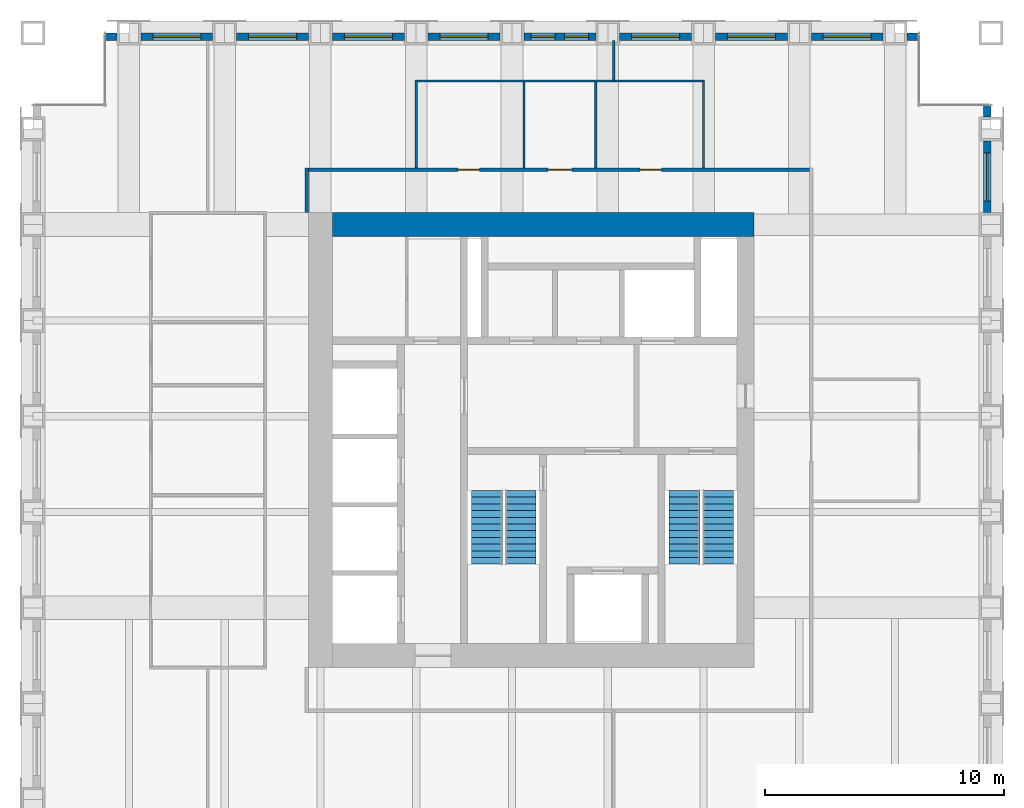
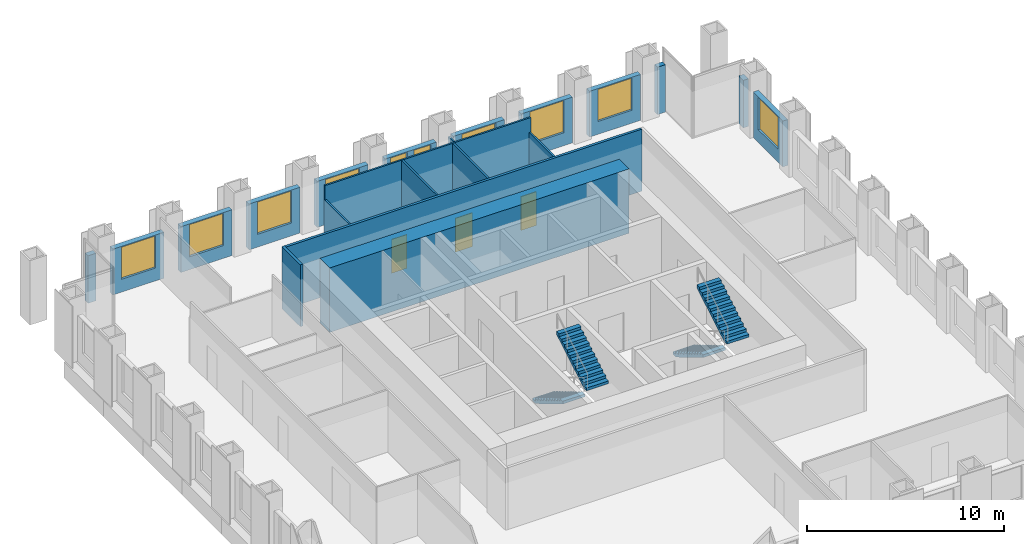
# One storey, part 10 of 11: 21 walls, 10 windows, 4 stair flights, 3 doors, 13 openings, 2 elements without a shape of their own.
"""IFC4 building model written with IfcOpenShell, lengths in metres."""

from ifc_helpers import new_model, si_unit, direction, frame, frame_2d, origin, place, context, subcontext, project, spatial, polyline, rectangle, outline, extrude, material, layer, layer_set, type_object, element, fill, aggregate, save


model = new_model("IFC4")

# Units and contexts
model_context = context("Model", 3, precision=1e-05, world=origin(), true_north=direction((0.0, 1.0)))
body_context = subcontext(model_context, "Body", "Model", "MODEL_VIEW")
ifc_project = project(units=[si_unit("LENGTHUNIT", "METRE"), si_unit("AREAUNIT", "SQUARE_METRE"), si_unit("VOLUMEUNIT", "CUBIC_METRE"), si_unit("PLANEANGLEUNIT", "RADIAN"), si_unit("MASSUNIT", "GRAM", prefix="KILO")], contexts=[model_context])

# Site, building, storey
site_placement = place(None, origin())
site = spatial("IfcSite", under=ifc_project, at=site_placement, CompositionType="ELEMENT")
building_placement = place(site_placement, origin())
building = spatial("IfcBuilding", under=site, at=building_placement, Name="Rimbunsela Tower", CompositionType="ELEMENT")
storey_placement = place(building_placement, frame((0.0, 0.0, 278.199951171875)))
storey = spatial("IfcBuildingStorey", under=building, at=storey_placement, Name="L67", CompositionType="ELEMENT", Elevation=278.199951171875)

# Walls
ifc_material_1 = material(Name="Concrete fc' 80 MPa", Category="concrete")
ifc_layer_1 = layer(ifc_material_1, 1.0)
ifc_layer_set_1 = layer_set([ifc_layer_1], Name="Core wall 1000")
wall_type_1 = type_object("IfcWallType", Name="Core wall 1000", PredefinedType="SHEAR", material=ifc_layer_set_1)
wall_1_placement = place(storey_placement, frame((18.5, 36.0, -0.14990234375), z_axis=(0.0, 0.0, 1.0), x_axis=(1.0, 0.0, 0.0)))
element("IfcWall", 1, at=wall_1_placement, inside=storey, type_object=wall_type_1, Name="Core wall north", PredefinedType="SHEAR", context=body_context, shape_type="SweptSolid", body=[
    extrude(rectangle(XDim=17.60009765625, YDim=1.0, at=frame_2d((8.800048828125, 0.0))), origin(), (0.0, 0.0, 1.0), 4.0),
])
ifc_material_2 = material(Name="Gypsum board on steel studs", Category="steel")
ifc_layer_2 = layer(ifc_material_2, 0.10009765625)
ifc_layer_set_2 = layer_set([ifc_layer_2], Name="Office partition 100")
wall_type_2 = type_object("IfcWallType", Name="Office partition 100", PredefinedType="PARTITIONING", material=ifc_layer_set_2)
wall_2_placement = place(storey_placement, frame((30.25, 43.699951171875, 0.0), z_axis=(0.0, 0.0, 1.0), x_axis=(0.0, -1.0, 0.0)))
element("IfcWall", 2, at=wall_2_placement, inside=storey, type_object=wall_type_2, Name="Office partition", PredefinedType="PARTITIONING", context=body_context, shape_type="SweptSolid", body=[
    extrude(rectangle(XDim=1.699951171875, YDim=0.10009765625, at=frame_2d((0.85009765625, 0.0))), origin(), (0.0, 0.0, 1.0), 2.949951171875),
])

# Wall, opening, window
ifc_material_3 = material(Name="Precast concrete fc' 35 MPa", Category="concrete")
ifc_layer_3 = layer(ifc_material_3, 0.300048828125)
ifc_layer_set_3 = layer_set([ifc_layer_3], Name="Precast concrete fc' 35 MPa")
wall_type_3 = type_object("IfcWallType", Name="Precast facade panel 300", PredefinedType="ELEMENTEDWALL", material=ifc_layer_set_3)
wall_3_placement = place(storey_placement, frame((45.85009765625, 36.5, 0.0), z_axis=(0.0, 0.0, 1.0), x_axis=(0.0, 1.0, 0.0)))
wall_3 = element("IfcWall", 3, at=wall_3_placement, inside=storey, type_object=wall_type_3, Name="Facade panel E L67", PredefinedType="ELEMENTEDWALL", context=body_context, shape_type="SweptSolid", body=[
    extrude(rectangle(XDim=3.0, YDim=0.300048828125, at=frame_2d((1.5, 0.0))), origin(), (0.0, 0.0, 1.0), 2.85009765625),
])
opening_1_placement = place(wall_3_placement, frame((0.5, 0.0, 0.800048828125)))
opening_1 = element("IfcOpeningElement", 4, at=opening_1_placement, cuts=wall_3, Name="Opening W1", PredefinedType="OPENING", context=body_context, shape_type="SweptSolid", body=[
    extrude(rectangle(XDim=2.0, YDim=2.0, at=frame_2d((1.0, 1.0))), frame((0.0, 0.159912109375, 0.0), z_axis=(0.0, -1.0, 0.0), x_axis=(1.0, 0.0, 0.0)), (0.0, 0.0, 1.0), 0.320068359375),
])
ifc_material_4 = material(Name="Clear glass in aluminium frame", Category="aluminium")
window_type_1 = type_object("IfcWindowType", Name="Window W1 2000x2000", PartitioningType="DOUBLE_PANEL_VERTICAL", PredefinedType="WINDOW", material=ifc_material_4)
window_1_placement = place(opening_1_placement, origin())
window_1 = element("IfcWindow", 5, at=window_1_placement, inside=storey, type_object=window_type_1, Name="Window L67", OverallHeight=2.0, OverallWidth=2.0, PartitioningType="SINGLE_PANEL", PredefinedType="WINDOW", context=body_context, shape_type="SweptSolid", body=[
    extrude(rectangle(XDim=2.0, YDim=2.0, at=frame_2d((1.0, 1.0))), frame((0.0, 0.030029296875, 0.0), z_axis=(0.0, -1.0, 0.0), x_axis=(1.0, 0.0, 0.0)), (0.0, 0.0, 1.0), 0.06005859375),
])
fill(opening_1, window_1)

# Walls
for number, where, z_axis, x_axis, name in (
    (6, (45.85009765625, 40.5, 0.0), (0.0, 0.0, 1.0), (0.0, 1.0, 0.0), "Facade panel E L67"),
    (7, (9.5, 43.85009765625, 0.0), (0.0, 0.0, 1.0), (-1.0, 0.0, 0.0), "Facade panel N L67"),
):
    element("IfcWall", number, at=place(storey_placement, frame(where, z_axis=z_axis, x_axis=x_axis)), inside=storey, type_object=wall_type_3, Name=name, PredefinedType="ELEMENTEDWALL", context=body_context, shape_type="SweptSolid", body=[
        extrude(rectangle(XDim=0.469970703125, YDim=0.300048828125, at=frame_2d((0.23486328125, 0.0))), origin(), (0.0, 0.0, 1.0), 2.949951171875),
    ])

# Wall, opening, window
wall_4_placement = place(storey_placement, frame((13.5, 43.85009765625, 0.0), z_axis=(0.0, 0.0, 1.0), x_axis=(-1.0, 0.0, 0.0)))
wall_4 = element("IfcWall", 8, at=wall_4_placement, inside=storey, type_object=wall_type_3, Name="Facade panel N L67", PredefinedType="ELEMENTEDWALL", context=body_context, shape_type="SweptSolid", body=[
    extrude(rectangle(XDim=3.0, YDim=0.300048828125, at=frame_2d((1.5, 0.0))), origin(), (0.0, 0.0, 1.0), 2.85009765625),
])
opening_2_placement = place(wall_4_placement, frame((0.5, 0.0, 0.800048828125)))
opening_2 = element("IfcOpeningElement", 9, at=opening_2_placement, cuts=wall_4, Name="Opening W1", PredefinedType="OPENING", context=body_context, shape_type="SweptSolid", body=[
    extrude(rectangle(XDim=2.0, YDim=2.0, at=frame_2d((1.0, 1.0))), frame((0.0, 0.159912109375, 0.0), z_axis=(0.0, -1.0, 0.0), x_axis=(1.0, 0.0, 0.0)), (0.0, 0.0, 1.0), 0.320068359375),
])
window_2_placement = place(opening_2_placement, origin())
window_2 = element("IfcWindow", 10, at=window_2_placement, inside=storey, type_object=window_type_1, Name="Window L67", OverallHeight=2.0, OverallWidth=2.0, PartitioningType="SINGLE_PANEL", PredefinedType="WINDOW", context=body_context, shape_type="SweptSolid", body=[
    extrude(rectangle(XDim=2.0, YDim=2.0, at=frame_2d((1.0, 1.0))), frame((0.0, 0.030029296875, 0.0), z_axis=(0.0, -1.0, 0.0), x_axis=(1.0, 0.0, 0.0)), (0.0, 0.0, 1.0), 0.06005859375),
])
fill(opening_2, window_2)

wall_5_placement = place(storey_placement, frame((17.5, 43.85009765625, 0.0), z_axis=(0.0, 0.0, 1.0), x_axis=(-1.0, 0.0, 0.0)))
wall_5 = element("IfcWall", 11, at=wall_5_placement, inside=storey, type_object=wall_type_3, Name="Facade panel N L67", PredefinedType="ELEMENTEDWALL", context=body_context, shape_type="SweptSolid", body=[
    extrude(rectangle(XDim=3.0, YDim=0.300048828125, at=frame_2d((1.5, 0.0))), origin(), (0.0, 0.0, 1.0), 2.85009765625),
])
opening_3_placement = place(wall_5_placement, frame((0.5, 0.0, 0.800048828125)))
opening_3 = element("IfcOpeningElement", 12, at=opening_3_placement, cuts=wall_5, Name="Opening W1", PredefinedType="OPENING", context=body_context, shape_type="SweptSolid", body=[
    extrude(rectangle(XDim=2.0, YDim=2.0, at=frame_2d((1.0, 1.0))), frame((0.0, 0.159912109375, 0.0), z_axis=(0.0, -1.0, 0.0), x_axis=(1.0, 0.0, 0.0)), (0.0, 0.0, 1.0), 0.320068359375),
])
window_3_placement = place(opening_3_placement, origin())
window_3 = element("IfcWindow", 13, at=window_3_placement, inside=storey, type_object=window_type_1, Name="Window L67", OverallHeight=2.0, OverallWidth=2.0, PartitioningType="SINGLE_PANEL", PredefinedType="WINDOW", context=body_context, shape_type="SweptSolid", body=[
    extrude(rectangle(XDim=2.0, YDim=2.0, at=frame_2d((1.0, 1.0))), frame((0.0, 0.030029296875, 0.0), z_axis=(0.0, -1.0, 0.0), x_axis=(1.0, 0.0, 0.0)), (0.0, 0.0, 1.0), 0.06005859375),
])
fill(opening_3, window_3)

wall_6_placement = place(storey_placement, frame((21.5, 43.85009765625, 0.0), z_axis=(0.0, 0.0, 1.0), x_axis=(-1.0, 0.0, 0.0)))
wall_6 = element("IfcWall", 14, at=wall_6_placement, inside=storey, type_object=wall_type_3, Name="Facade panel N L67", PredefinedType="ELEMENTEDWALL", context=body_context, shape_type="SweptSolid", body=[
    extrude(rectangle(XDim=3.0, YDim=0.300048828125, at=frame_2d((1.5, 0.0))), origin(), (0.0, 0.0, 1.0), 2.85009765625),
])
opening_4_placement = place(wall_6_placement, frame((0.5, 0.0, 0.800048828125)))
opening_4 = element("IfcOpeningElement", 15, at=opening_4_placement, cuts=wall_6, Name="Opening W1", PredefinedType="OPENING", context=body_context, shape_type="SweptSolid", body=[
    extrude(rectangle(XDim=2.0, YDim=2.0, at=frame_2d((1.0, 1.0))), frame((0.0, 0.159912109375, 0.0), z_axis=(0.0, -1.0, 0.0), x_axis=(1.0, 0.0, 0.0)), (0.0, 0.0, 1.0), 0.320068359375),
])
window_4_placement = place(opening_4_placement, origin())
window_4 = element("IfcWindow", 16, at=window_4_placement, inside=storey, type_object=window_type_1, Name="Window L67", OverallHeight=2.0, OverallWidth=2.0, PartitioningType="SINGLE_PANEL", PredefinedType="WINDOW", context=body_context, shape_type="SweptSolid", body=[
    extrude(rectangle(XDim=2.0, YDim=2.0, at=frame_2d((1.0, 1.0))), frame((0.0, 0.030029296875, 0.0), z_axis=(0.0, -1.0, 0.0), x_axis=(1.0, 0.0, 0.0)), (0.0, 0.0, 1.0), 0.06005859375),
])
fill(opening_4, window_4)

wall_7_placement = place(storey_placement, frame((25.5, 43.85009765625, 0.0), z_axis=(0.0, 0.0, 1.0), x_axis=(-1.0, 0.0, 0.0)))
wall_7 = element("IfcWall", 17, at=wall_7_placement, inside=storey, type_object=wall_type_3, Name="Facade panel N L67", PredefinedType="ELEMENTEDWALL", context=body_context, shape_type="SweptSolid", body=[
    extrude(rectangle(XDim=3.0, YDim=0.300048828125, at=frame_2d((1.5, 0.0))), origin(), (0.0, 0.0, 1.0), 2.85009765625),
])
opening_5_placement = place(wall_7_placement, frame((0.5, 0.0, 0.800048828125)))
opening_5 = element("IfcOpeningElement", 18, at=opening_5_placement, cuts=wall_7, Name="Opening W1", PredefinedType="OPENING", context=body_context, shape_type="SweptSolid", body=[
    extrude(rectangle(XDim=2.0, YDim=2.0, at=frame_2d((1.0, 1.0))), frame((0.0, 0.159912109375, 0.0), z_axis=(0.0, -1.0, 0.0), x_axis=(1.0, 0.0, 0.0)), (0.0, 0.0, 1.0), 0.320068359375),
])
window_5_placement = place(opening_5_placement, origin())
window_5 = element("IfcWindow", 19, at=window_5_placement, inside=storey, type_object=window_type_1, Name="Window L67", OverallHeight=2.0, OverallWidth=2.0, PartitioningType="SINGLE_PANEL", PredefinedType="WINDOW", context=body_context, shape_type="SweptSolid", body=[
    extrude(rectangle(XDim=2.0, YDim=2.0, at=frame_2d((1.0, 1.0))), frame((0.0, 0.030029296875, 0.0), z_axis=(0.0, -1.0, 0.0), x_axis=(1.0, 0.0, 0.0)), (0.0, 0.0, 1.0), 0.06005859375),
])
fill(opening_5, window_5)

# Wall, openings, windows
wall_8_placement = place(storey_placement, frame((29.5, 43.85009765625, 0.0), z_axis=(0.0, 0.0, 1.0), x_axis=(-1.0, 0.0, 0.0)))
wall_8 = element("IfcWall", 20, at=wall_8_placement, inside=storey, type_object=wall_type_3, Name="Facade panel N L67", PredefinedType="ELEMENTEDWALL", context=body_context, shape_type="SweptSolid", body=[
    extrude(rectangle(XDim=3.0, YDim=0.300048828125, at=frame_2d((1.5, 0.0))), origin(), (0.0, 0.0, 1.0), 2.85009765625),
])
opening_6_placement = place(wall_8_placement, frame((1.699951171875, 0.0, 0.800048828125)))
opening_6 = element("IfcOpeningElement", 21, at=opening_6_placement, cuts=wall_8, Name="Opening W5", PredefinedType="OPENING", context=body_context, shape_type="SweptSolid", body=[
    extrude(rectangle(XDim=1.0, YDim=2.0, at=frame_2d((0.5, 1.0))), frame((0.0, 0.159912109375, 0.0), z_axis=(0.0, -1.0, 0.0), x_axis=(1.0, 0.0, 0.0)), (0.0, 0.0, 1.0), 0.320068359375),
])
opening_7_placement = place(wall_8_placement, frame((0.300048828125, 0.0, 0.800048828125)))
opening_7 = element("IfcOpeningElement", 22, at=opening_7_placement, cuts=wall_8, Name="Opening W5", PredefinedType="OPENING", context=body_context, shape_type="SweptSolid", body=[
    extrude(rectangle(XDim=1.0, YDim=2.0, at=frame_2d((0.5, 1.0))), frame((0.0, 0.159912109375, 0.0), z_axis=(0.0, -1.0, 0.0), x_axis=(1.0, 0.0, 0.0)), (0.0, 0.0, 1.0), 0.320068359375),
])
ifc_material_5 = material(Name="Clear glass in aluminium frame", Category="aluminium")
window_type_2 = type_object("IfcWindowType", Name="Window W5 1000x2000", PartitioningType="SINGLE_PANEL", PredefinedType="WINDOW", material=ifc_material_5)
window_6_placement = place(opening_6_placement, origin())
window_6 = element("IfcWindow", 23, at=window_6_placement, inside=storey, type_object=window_type_2, Name="Window L67", OverallHeight=2.0, OverallWidth=1.0, PartitioningType="SINGLE_PANEL", PredefinedType="WINDOW", context=body_context, shape_type="SweptSolid", body=[
    extrude(rectangle(XDim=1.0, YDim=2.0, at=frame_2d((0.5, 1.0))), frame((0.0, 0.030029296875, 0.0), z_axis=(0.0, -1.0, 0.0), x_axis=(1.0, 0.0, 0.0)), (0.0, 0.0, 1.0), 0.06005859375),
])
fill(opening_6, window_6)
window_7_placement = place(opening_7_placement, origin())
window_7 = element("IfcWindow", 24, at=window_7_placement, inside=storey, type_object=window_type_2, Name="Window L67", OverallHeight=2.0, OverallWidth=1.0, PartitioningType="SINGLE_PANEL", PredefinedType="WINDOW", context=body_context, shape_type="SweptSolid", body=[
    extrude(rectangle(XDim=1.0, YDim=2.0, at=frame_2d((0.5, 1.0))), frame((0.0, 0.030029296875, 0.0), z_axis=(0.0, -1.0, 0.0), x_axis=(1.0, 0.0, 0.0)), (0.0, 0.0, 1.0), 0.06005859375),
])
fill(opening_7, window_7)

# Wall, opening, window
wall_9_placement = place(storey_placement, frame((33.5, 43.85009765625, 0.0), z_axis=(0.0, 0.0, 1.0), x_axis=(-1.0, 0.0, 0.0)))
wall_9 = element("IfcWall", 25, at=wall_9_placement, inside=storey, type_object=wall_type_3, Name="Facade panel N L67", PredefinedType="ELEMENTEDWALL", context=body_context, shape_type="SweptSolid", body=[
    extrude(rectangle(XDim=3.0, YDim=0.300048828125, at=frame_2d((1.5, 0.0))), origin(), (0.0, 0.0, 1.0), 2.85009765625),
])
opening_8_placement = place(wall_9_placement, frame((0.5, 0.0, 0.800048828125)))
opening_8 = element("IfcOpeningElement", 26, at=opening_8_placement, cuts=wall_9, Name="Opening W1", PredefinedType="OPENING", context=body_context, shape_type="SweptSolid", body=[
    extrude(rectangle(XDim=2.0, YDim=2.0, at=frame_2d((1.0, 1.0))), frame((0.0, 0.159912109375, 0.0), z_axis=(0.0, -1.0, 0.0), x_axis=(1.0, 0.0, 0.0)), (0.0, 0.0, 1.0), 0.320068359375),
])
window_8_placement = place(opening_8_placement, origin())
window_8 = element("IfcWindow", 27, at=window_8_placement, inside=storey, type_object=window_type_1, Name="Window L67", OverallHeight=2.0, OverallWidth=2.0, PartitioningType="SINGLE_PANEL", PredefinedType="WINDOW", context=body_context, shape_type="SweptSolid", body=[
    extrude(rectangle(XDim=2.0, YDim=2.0, at=frame_2d((1.0, 1.0))), frame((0.0, 0.030029296875, 0.0), z_axis=(0.0, -1.0, 0.0), x_axis=(1.0, 0.0, 0.0)), (0.0, 0.0, 1.0), 0.06005859375),
])
fill(opening_8, window_8)

wall_10_placement = place(storey_placement, frame((37.5, 43.85009765625, 0.0), z_axis=(0.0, 0.0, 1.0), x_axis=(-1.0, 0.0, 0.0)))
wall_10 = element("IfcWall", 28, at=wall_10_placement, inside=storey, type_object=wall_type_3, Name="Facade panel N L67", PredefinedType="ELEMENTEDWALL", context=body_context, shape_type="SweptSolid", body=[
    extrude(rectangle(XDim=3.0, YDim=0.300048828125, at=frame_2d((1.5, 0.0))), origin(), (0.0, 0.0, 1.0), 2.85009765625),
])
opening_9_placement = place(wall_10_placement, frame((0.5, 0.0, 0.800048828125)))
opening_9 = element("IfcOpeningElement", 29, at=opening_9_placement, cuts=wall_10, Name="Opening W1", PredefinedType="OPENING", context=body_context, shape_type="SweptSolid", body=[
    extrude(rectangle(XDim=2.0, YDim=2.0, at=frame_2d((1.0, 1.0))), frame((0.0, 0.159912109375, 0.0), z_axis=(0.0, -1.0, 0.0), x_axis=(1.0, 0.0, 0.0)), (0.0, 0.0, 1.0), 0.320068359375),
])
window_9_placement = place(opening_9_placement, origin())
window_9 = element("IfcWindow", 30, at=window_9_placement, inside=storey, type_object=window_type_1, Name="Window L67", OverallHeight=2.0, OverallWidth=2.0, PartitioningType="SINGLE_PANEL", PredefinedType="WINDOW", context=body_context, shape_type="SweptSolid", body=[
    extrude(rectangle(XDim=2.0, YDim=2.0, at=frame_2d((1.0, 1.0))), frame((0.0, 0.030029296875, 0.0), z_axis=(0.0, -1.0, 0.0), x_axis=(1.0, 0.0, 0.0)), (0.0, 0.0, 1.0), 0.06005859375),
])
fill(opening_9, window_9)

wall_11_placement = place(storey_placement, frame((41.5, 43.85009765625, 0.0), z_axis=(0.0, 0.0, 1.0), x_axis=(-1.0, 0.0, 0.0)))
wall_11 = element("IfcWall", 31, at=wall_11_placement, inside=storey, type_object=wall_type_3, Name="Facade panel N L67", PredefinedType="ELEMENTEDWALL", context=body_context, shape_type="SweptSolid", body=[
    extrude(rectangle(XDim=3.0, YDim=0.300048828125, at=frame_2d((1.5, 0.0))), origin(), (0.0, 0.0, 1.0), 2.85009765625),
])
opening_10_placement = place(wall_11_placement, frame((0.5, 0.0, 0.800048828125)))
opening_10 = element("IfcOpeningElement", 32, at=opening_10_placement, cuts=wall_11, Name="Opening W1", PredefinedType="OPENING", context=body_context, shape_type="SweptSolid", body=[
    extrude(rectangle(XDim=2.0, YDim=2.0, at=frame_2d((1.0, 1.0))), frame((0.0, 0.159912109375, 0.0), z_axis=(0.0, -1.0, 0.0), x_axis=(1.0, 0.0, 0.0)), (0.0, 0.0, 1.0), 0.320068359375),
])
window_10_placement = place(opening_10_placement, origin())
window_10 = element("IfcWindow", 33, at=window_10_placement, inside=storey, type_object=window_type_1, Name="Window L67", OverallHeight=2.0, OverallWidth=2.0, PartitioningType="SINGLE_PANEL", PredefinedType="WINDOW", context=body_context, shape_type="SweptSolid", body=[
    extrude(rectangle(XDim=2.0, YDim=2.0, at=frame_2d((1.0, 1.0))), frame((0.0, 0.030029296875, 0.0), z_axis=(0.0, -1.0, 0.0), x_axis=(1.0, 0.0, 0.0)), (0.0, 0.0, 1.0), 0.06005859375),
])
fill(opening_10, window_10)

# Walls
wall_12_placement = place(storey_placement, frame((42.969970703125, 43.85009765625, 0.0), z_axis=(0.0, 0.0, 1.0), x_axis=(-1.0, 0.0, 0.0)))
element("IfcWall", 34, at=wall_12_placement, inside=storey, type_object=wall_type_3, Name="Facade panel N L67", PredefinedType="ELEMENTEDWALL", context=body_context, shape_type="SweptSolid", body=[
    extrude(rectangle(XDim=0.469970703125, YDim=0.300048828125, at=frame_2d((0.23486328125, 0.0))), origin(), (0.0, 0.0, 1.0), 2.949951171875),
])
ifc_material_6 = material(Name="Fire-rated gypsum board on steel studs, EI 60", Category="steel")
ifc_layer_4 = layer(ifc_material_6, 0.14990234375)
ifc_layer_set_4 = layer_set([ifc_layer_4], Name="Rated corridor wall 150")
wall_type_4 = type_object("IfcWallType", Name="Rated corridor wall 150", PredefinedType="PARTITIONING", material=ifc_layer_set_4)
wall_13_placement = place(storey_placement, frame((17.425048828125, 36.5, 0.0), z_axis=(0.0, 0.0, 1.0), x_axis=(0.0, 1.0, 0.0)))
element("IfcWall", 35, at=wall_13_placement, inside=storey, type_object=wall_type_4, Name="Corridor end wall north", PredefinedType="PARTITIONING", context=body_context, shape_type="SweptSolid", body=[
    extrude(rectangle(XDim=1.875, YDim=0.14990234375, at=frame_2d((0.9375, 0.0))), origin(), (0.0, 0.0, 1.0), 3.85009765625),
])

# Wall, openings, doors
wall_14_placement = place(storey_placement, frame((17.5, 38.300048828125, 0.0), z_axis=(0.0, 0.0, 1.0), x_axis=(1.0, 0.0, 0.0)))
wall_14 = element("IfcWall", 36, at=wall_14_placement, inside=storey, type_object=wall_type_4, Name="Corridor wall north", PredefinedType="PARTITIONING", context=body_context, shape_type="SweptSolid", body=[
    extrude(rectangle(XDim=20.925048828125, YDim=0.14990234375, at=frame_2d((10.46240234375, 0.0))), origin(), (0.0, 0.0, 1.0), 3.85009765625),
])
opening_11_placement = place(wall_14_placement, frame((6.25, 0.0, 0.0)))
opening_11 = element("IfcOpeningElement", 37, at=opening_11_placement, cuts=wall_14, Name="Opening D04", PredefinedType="OPENING", context=body_context, shape_type="SweptSolid", body=[
    extrude(rectangle(XDim=0.89990234375, YDim=2.10009765625, at=frame_2d((0.449951171875, 1.050048828125))), frame((0.0, 0.0849609375, 0.0), z_axis=(0.0, -1.0, 0.0), x_axis=(1.0, 0.0, 0.0)), (0.0, 0.0, 1.0), 0.169921875),
])
opening_12_placement = place(wall_14_placement, frame((10.0, 0.0, 0.0)))
opening_12 = element("IfcOpeningElement", 38, at=opening_12_placement, cuts=wall_14, Name="Opening D05", PredefinedType="OPENING", context=body_context, shape_type="SweptSolid", body=[
    extrude(rectangle(XDim=1.0, YDim=2.10009765625, at=frame_2d((0.5, 1.050048828125))), frame((0.0, 0.0849609375, 0.0), z_axis=(0.0, -1.0, 0.0), x_axis=(1.0, 0.0, 0.0)), (0.0, 0.0, 1.0), 0.169921875),
])
opening_13_placement = place(wall_14_placement, frame((13.85009765625, 0.0, 0.0)))
opening_13 = element("IfcOpeningElement", 39, at=opening_13_placement, cuts=wall_14, Name="Opening D04", PredefinedType="OPENING", context=body_context, shape_type="SweptSolid", body=[
    extrude(rectangle(XDim=0.89990234375, YDim=2.10009765625, at=frame_2d((0.449951171875, 1.050048828125))), frame((0.0, 0.0849609375, 0.0), z_axis=(0.0, -1.0, 0.0), x_axis=(1.0, 0.0, 0.0)), (0.0, 0.0, 1.0), 0.169921875),
])
ifc_material_7 = material(Name="Timber door", Category="wood")
door_type_1 = type_object("IfcDoorType", Name="Accessible WC door 1000", OperationType="SLIDING_TO_LEFT", PredefinedType="DOOR", material=ifc_material_7)
door_1_placement = place(opening_12_placement, origin())
door_1 = element("IfcDoor", 40, at=door_1_placement, inside=storey, type_object=door_type_1, Name="Accessible WC door", OperationType="SLIDING_TO_LEFT", OverallHeight=2.10009765625, OverallWidth=1.0, PredefinedType="DOOR", context=body_context, shape_type="SweptSolid", body=[
    extrude(rectangle(XDim=1.0, YDim=2.10009765625, at=frame_2d((0.5, 1.050048828125))), frame((0.0, 0.02490234375, 0.0), z_axis=(0.0, -1.0, 0.0), x_axis=(1.0, 0.0, 0.0)), (0.0, 0.0, 1.0), 0.050048828125),
])
fill(opening_12, door_1)
ifc_material_8 = material(Name="Timber door", Category="wood")
door_type_2 = type_object("IfcDoorType", Name="Toilet door 900", OperationType="SINGLE_SWING_LEFT", PredefinedType="DOOR", material=ifc_material_8)
door_2_placement = place(opening_11_placement, origin())
door_2 = element("IfcDoor", 41, at=door_2_placement, inside=storey, type_object=door_type_2, Name="Female WC door", OperationType="SINGLE_SWING_LEFT", OverallHeight=2.10009765625, OverallWidth=0.89990234375, PredefinedType="DOOR", context=body_context, shape_type="SweptSolid", body=[
    extrude(rectangle(XDim=0.89990234375, YDim=2.10009765625, at=frame_2d((0.449951171875, 1.050048828125))), frame((0.0, 0.02490234375, 0.0), z_axis=(0.0, -1.0, 0.0), x_axis=(1.0, 0.0, 0.0)), (0.0, 0.0, 1.0), 0.050048828125),
])
fill(opening_11, door_2)
door_3_placement = place(opening_13_placement, origin())
door_3 = element("IfcDoor", 42, at=door_3_placement, inside=storey, type_object=door_type_2, Name="Male WC door", OperationType="SINGLE_SWING_LEFT", OverallHeight=2.10009765625, OverallWidth=0.89990234375, PredefinedType="DOOR", context=body_context, shape_type="SweptSolid", body=[
    extrude(rectangle(XDim=0.89990234375, YDim=2.10009765625, at=frame_2d((0.449951171875, 1.050048828125))), frame((0.0, 0.02490234375, 0.0), z_axis=(0.0, -1.0, 0.0), x_axis=(1.0, 0.0, 0.0)), (0.0, 0.0, 1.0), 0.050048828125),
])
fill(opening_13, door_3)

# Walls
ifc_material_9 = material(Name="Concrete blockwork", Category="masonry")
ifc_layer_5 = layer(ifc_material_9, 0.10009765625)
ifc_layer_set_5 = layer_set([ifc_layer_5], Name="Toilet partition 100")
wall_type_5 = type_object("IfcWallType", Name="Toilet partition 100", PredefinedType="PARTITIONING", material=ifc_layer_set_5)
for number, where, z_axis, x_axis, name in (
    (43, (22.0, 38.375, 0.0), (0.0, 0.0, 1.0), (0.0, 1.0, 0.0), "Toilet block wall west"),
    (44, (34.0, 38.375, 0.0), (0.0, 0.0, 1.0), (0.0, 1.0, 0.0), "Toilet block wall east"),
):
    element("IfcWall", number, at=place(storey_placement, frame(where, z_axis=z_axis, x_axis=x_axis)), inside=storey, type_object=wall_type_5, Name=name, PredefinedType="PARTITIONING", context=body_context, shape_type="SweptSolid", body=[
        extrude(rectangle(XDim=3.675048828125, YDim=0.10009765625, at=frame_2d((1.83740234375, 0.0))), origin(), (0.0, 0.0, 1.0), 2.949951171875),
    ])
wall_15_placement = place(storey_placement, frame((21.949951171875, 42.0, 0.0), z_axis=(0.0, 0.0, 1.0), x_axis=(1.0, 0.0, 0.0)))
element("IfcWall", 45, at=wall_15_placement, inside=storey, type_object=wall_type_5, Name="Toilet block wall north", PredefinedType="PARTITIONING", context=body_context, shape_type="SweptSolid", body=[
    extrude(rectangle(XDim=12.10009765625, YDim=0.10009765625, at=frame_2d((6.050048828125, 0.0))), origin(), (0.0, 0.0, 1.0), 3.85009765625),
])
for number, where, z_axis, x_axis, name in (
    (46, (26.5, 38.375, 0.0), (0.0, 0.0, 1.0), (0.0, 1.0, 0.0), "Toilet partition"),
    (47, (29.5, 38.375, 0.0), (0.0, 0.0, 1.0), (0.0, 1.0, 0.0), "Toilet partition"),
):
    element("IfcWall", number, at=place(storey_placement, frame(where, z_axis=z_axis, x_axis=x_axis)), inside=storey, type_object=wall_type_5, Name=name, PredefinedType="PARTITIONING", context=body_context, shape_type="SweptSolid", body=[
        extrude(rectangle(XDim=3.574951171875, YDim=0.10009765625, at=frame_2d((1.78759765625, 0.0))), origin(), (0.0, 0.0, 1.0), 3.85009765625),
    ])

# Stair, stair flights
ifc_material_10 = material(Name="Concrete fc' 35 MPa", Category="concrete")
stair_type = type_object("IfcStairType", Name="Exit stair 24 risers", PredefinedType="HALF_TURN_STAIR", material=ifc_material_10)
stair_1_placement = place(storey_placement, origin())
stair_1 = element("IfcStair", 48, at=stair_1_placement, inside=storey, type_object=stair_type, Name="Exit stair A L67", PredefinedType="HALF_TURN_STAIR")
ifc_material_11 = material(Name="Concrete fc' 35 MPa", Category="concrete")
stair_flight_type = type_object("IfcStairFlightType", Name="Stair flight 12 risers 167", PredefinedType="STRAIGHT", material=ifc_material_11)
stair_flight_1_placement = place(storey_placement, frame((24.949951171875, 24.89990234375, 0.0), z_axis=(0.0, 0.0, 1.0), x_axis=(0.0, -1.0, 0.0)))
stair_flight_1 = element("IfcStairFlight", 49, at=stair_flight_1_placement, type_object=stair_flight_type, Name="ST-A flight 1", NumberOfRisers=12, NumberOfTreads=11, PredefinedType="STRAIGHT", RiserHeight=0.166666667, TreadLength=0.28, context=body_context, shape_type="SweptSolid", body=[
    extrude(outline(polyline([(0.0, 0.0), (0.0, 0.166748046875), (0.280029296875, 0.166748046875), (0.280029296875, 0.333251953125), (0.56005859375, 0.333251953125), (0.56005859375, 0.5), (0.840087890625, 0.5), (0.840087890625, 0.666748046875), (1.1201171875, 0.666748046875), (1.1201171875, 0.833251953125), (1.39990234375, 0.833251953125), (1.39990234375, 1.0), (1.679931640625, 1.0), (1.679931640625, 1.166748046875), (1.9599609375, 1.166748046875), (1.9599609375, 1.333251953125), (2.239990234375, 1.333251953125), (2.239990234375, 1.5), (2.52001953125, 1.5), (2.52001953125, 1.666748046875), (2.800048828125, 1.666748046875), (2.800048828125, 1.833251953125), (3.080078125, 1.833251953125), (3.080078125, 2.0), (3.080078125, 1.658935546875), (0.29296875, 0.0), (0.0, 0.0)])), frame((0.0, 0.64990234375, 0.0), z_axis=(0.0, -1.0, 0.0), x_axis=(1.0, 0.0, 0.0)), (0.0, 0.0, 1.0), 1.300048828125),
])
stair_flight_2_placement = place(storey_placement, frame((26.35009765625, 21.820068359375, 2.0), z_axis=(0.0, 0.0, 1.0), x_axis=(0.0, 1.0, 0.0)))
stair_flight_2 = element("IfcStairFlight", 50, at=stair_flight_2_placement, type_object=stair_flight_type, Name="ST-A flight 2", NumberOfRisers=12, NumberOfTreads=11, PredefinedType="STRAIGHT", RiserHeight=0.166666667, TreadLength=0.28, context=body_context, shape_type="SweptSolid", body=[
    extrude(outline(polyline([(0.0, 0.0), (0.0, 0.166748046875), (0.280029296875, 0.166748046875), (0.280029296875, 0.333251953125), (0.56005859375, 0.333251953125), (0.56005859375, 0.5), (0.840087890625, 0.5), (0.840087890625, 0.666748046875), (1.1201171875, 0.666748046875), (1.1201171875, 0.833251953125), (1.39990234375, 0.833251953125), (1.39990234375, 1.0), (1.679931640625, 1.0), (1.679931640625, 1.166748046875), (1.9599609375, 1.166748046875), (1.9599609375, 1.333251953125), (2.239990234375, 1.333251953125), (2.239990234375, 1.5), (2.52001953125, 1.5), (2.52001953125, 1.666748046875), (2.800048828125, 1.666748046875), (2.800048828125, 1.833251953125), (3.080078125, 1.833251953125), (3.080078125, 2.0), (3.080078125, 1.658935546875), (0.29296875, 0.0), (0.0, 0.0)])), frame((0.0, 0.64990234375, 0.0), z_axis=(0.0, -1.0, 0.0), x_axis=(1.0, 0.0, 0.0)), (0.0, 0.0, 1.0), 1.300048828125),
])
aggregate(stair_1, [stair_flight_1, stair_flight_2])

stair_2_placement = place(storey_placement, origin())
stair_2 = element("IfcStair", 51, at=stair_2_placement, inside=storey, type_object=stair_type, Name="Exit stair B L67", PredefinedType="HALF_TURN_STAIR")
stair_flight_3_placement = place(storey_placement, frame((33.199951171875, 24.89990234375, 0.0), z_axis=(0.0, 0.0, 1.0), x_axis=(0.0, -1.0, 0.0)))
stair_flight_3 = element("IfcStairFlight", 52, at=stair_flight_3_placement, type_object=stair_flight_type, Name="ST-B flight 1", NumberOfRisers=12, NumberOfTreads=11, PredefinedType="STRAIGHT", RiserHeight=0.166666667, TreadLength=0.28, context=body_context, shape_type="SweptSolid", body=[
    extrude(outline(polyline([(0.0, 0.0), (0.0, 0.166748046875), (0.280029296875, 0.166748046875), (0.280029296875, 0.333251953125), (0.56005859375, 0.333251953125), (0.56005859375, 0.5), (0.840087890625, 0.5), (0.840087890625, 0.666748046875), (1.1201171875, 0.666748046875), (1.1201171875, 0.833251953125), (1.39990234375, 0.833251953125), (1.39990234375, 1.0), (1.679931640625, 1.0), (1.679931640625, 1.166748046875), (1.9599609375, 1.166748046875), (1.9599609375, 1.333251953125), (2.239990234375, 1.333251953125), (2.239990234375, 1.5), (2.52001953125, 1.5), (2.52001953125, 1.666748046875), (2.800048828125, 1.666748046875), (2.800048828125, 1.833251953125), (3.080078125, 1.833251953125), (3.080078125, 2.0), (3.080078125, 1.658935546875), (0.29296875, 0.0), (0.0, 0.0)])), frame((0.0, 0.64990234375, 0.0), z_axis=(0.0, -1.0, 0.0), x_axis=(1.0, 0.0, 0.0)), (0.0, 0.0, 1.0), 1.300048828125),
])
stair_flight_4_placement = place(storey_placement, frame((34.60009765625, 21.820068359375, 2.0), z_axis=(0.0, 0.0, 1.0), x_axis=(0.0, 1.0, 0.0)))
stair_flight_4 = element("IfcStairFlight", 53, at=stair_flight_4_placement, type_object=stair_flight_type, Name="ST-B flight 2", NumberOfRisers=12, NumberOfTreads=11, PredefinedType="STRAIGHT", RiserHeight=0.166666667, TreadLength=0.28, context=body_context, shape_type="SweptSolid", body=[
    extrude(outline(polyline([(0.0, 0.0), (0.0, 0.166748046875), (0.280029296875, 0.166748046875), (0.280029296875, 0.333251953125), (0.56005859375, 0.333251953125), (0.56005859375, 0.5), (0.840087890625, 0.5), (0.840087890625, 0.666748046875), (1.1201171875, 0.666748046875), (1.1201171875, 0.833251953125), (1.39990234375, 0.833251953125), (1.39990234375, 1.0), (1.679931640625, 1.0), (1.679931640625, 1.166748046875), (1.9599609375, 1.166748046875), (1.9599609375, 1.333251953125), (2.239990234375, 1.333251953125), (2.239990234375, 1.5), (2.52001953125, 1.5), (2.52001953125, 1.666748046875), (2.800048828125, 1.666748046875), (2.800048828125, 1.833251953125), (3.080078125, 1.833251953125), (3.080078125, 2.0), (3.080078125, 1.658935546875), (0.29296875, 0.0), (0.0, 0.0)])), frame((0.0, 0.64990234375, 0.0), z_axis=(0.0, -1.0, 0.0), x_axis=(1.0, 0.0, 0.0)), (0.0, 0.0, 1.0), 1.300048828125),
])
aggregate(stair_2, [stair_flight_3, stair_flight_4])

save(model, "model.ifc")
